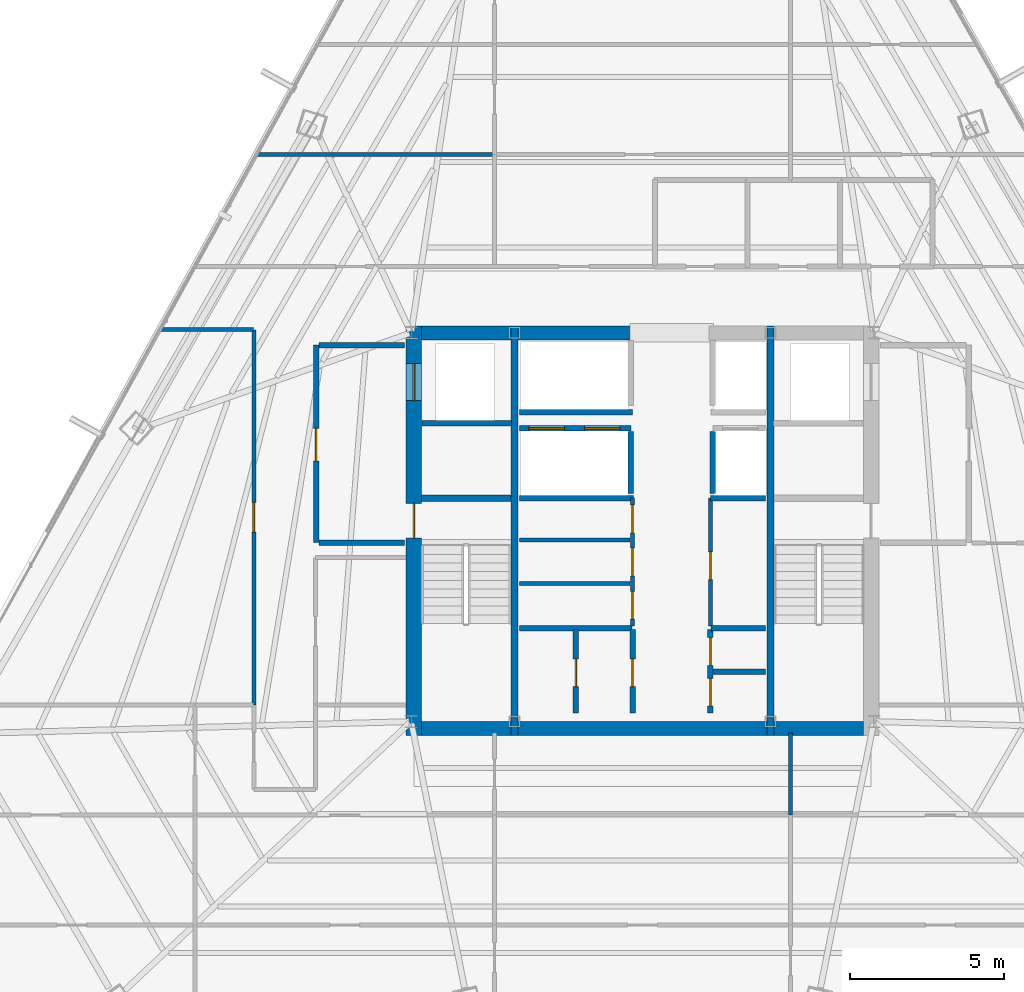
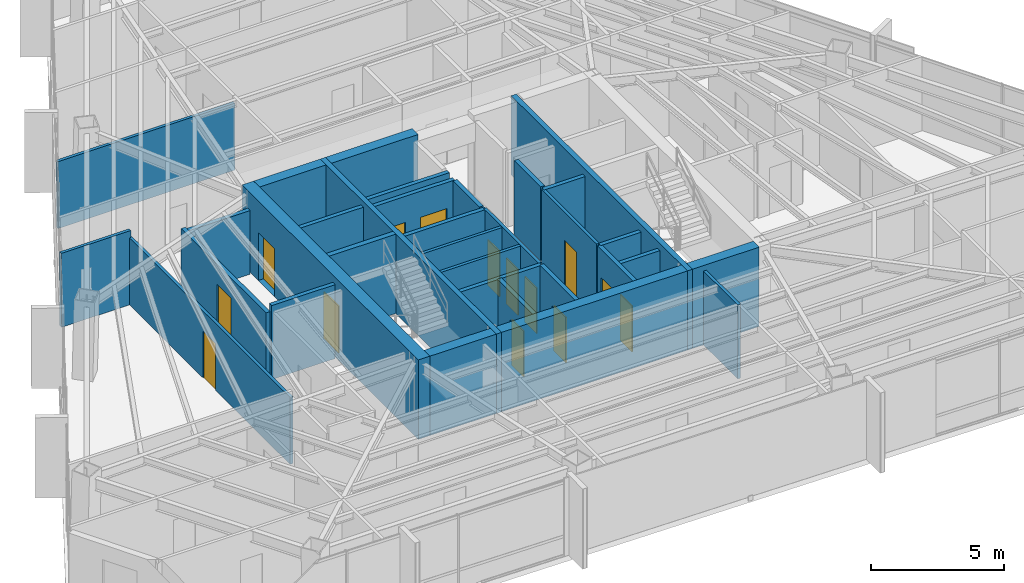
# One storey, part 36 of 42: 33 walls, 14 doors, 14 openings.
"""IFC4 building model written with IfcOpenShell, lengths in metres."""

from ifc_helpers import new_model, si_unit, direction, frame, frame_2d, origin, place, context, subcontext, project, spatial, rectangle, extrude, material, layer, layer_set, type_object, element, fill, save


model = new_model("IFC4")

# Units and contexts
model_context = context("Model", 3, precision=1e-05, world=origin(), true_north=direction((0.0, 1.0)))
body_context = subcontext(model_context, "Body", "Model", "MODEL_VIEW")
ifc_project = project(units=[si_unit("LENGTHUNIT", "METRE"), si_unit("AREAUNIT", "SQUARE_METRE"), si_unit("VOLUMEUNIT", "CUBIC_METRE"), si_unit("PLANEANGLEUNIT", "RADIAN"), si_unit("MASSUNIT", "GRAM", prefix="KILO")], contexts=[model_context])

# Site, building, storey
site_placement = place(None, origin())
site = spatial("IfcSite", under=ifc_project, at=site_placement, CompositionType="ELEMENT")
building_placement = place(site_placement, origin())
building = spatial("IfcBuilding", under=site, at=building_placement, Name="Caelisora Broadcast Tower", CompositionType="ELEMENT")
storey_placement = place(building_placement, frame((0.0, 0.0, 205.949951171875)))
storey = spatial("IfcBuildingStorey", under=building, at=storey_placement, Name="L54", CompositionType="ELEMENT", Elevation=205.949951171875)

# Wall, openings, doors
ifc_material_1 = material(Name="Concrete 50 MPa (AS 3600 S50)", Category="concrete")
ifc_layer_1 = layer(ifc_material_1, 0.5, Name="Concrete 50 MPa (AS 3600 S50)")
ifc_layer_set_1 = layer_set([ifc_layer_1], Name="Concrete 50 MPa (AS 3600 S50)")
wall_type_1 = type_object("IfcWallType", Name="CW2", PredefinedType="SHEAR", material=ifc_layer_set_1)
wall_1_placement = place(storey_placement, frame((30.590087890625, 16.949951171875, 0.0), z_axis=(0.0, 0.0, 1.0), x_axis=(0.0, 1.0, 0.0)))
wall_1 = element("IfcWall", 1, at=wall_1_placement, inside=storey, type_object=wall_type_1, Name="L54 core shear wall CW2", PredefinedType="SHEAR", context=body_context, shape_type="SweptSolid", body=[
    extrude(rectangle(XDim=13.275146484375, YDim=0.5, at=frame_2d((6.6376953125, 0.0))), origin(), (0.0, 0.0, 1.0), 3.650146484375),
])
opening_1_placement = place(wall_1_placement, frame((6.39990234375, 0.0, 0.0)))
opening_1 = element("IfcOpeningElement", 2, at=opening_1_placement, cuts=wall_1, Name="Opening FD04", PredefinedType="OPENING", context=body_context, shape_type="SweptSolid", body=[
    extrude(rectangle(XDim=1.1201171875, YDim=2.14990234375, at=frame_2d((0.56005859375, 1.074951171875))), frame((0.0, 0.261962890625, 0.0), z_axis=(0.0, -1.0, 0.0), x_axis=(1.0, 0.0, 0.0)), (0.0, 0.0, 1.0), 0.52392578125),
])
opening_2_placement = place(wall_1_placement, frame((10.85009765625, 0.0, 0.0)))
opening_2 = element("IfcOpeningElement", 3, at=opening_2_placement, cuts=wall_1, Name="Opening LD04", PredefinedType="OPENING", context=body_context, shape_type="SweptSolid", body=[
    extrude(rectangle(XDim=1.199951171875, YDim=2.199951171875, at=frame_2d((0.60009765625, 1.10009765625))), frame((0.0, 0.261962890625, 0.0), z_axis=(0.0, -1.0, 0.0), x_axis=(1.0, 0.0, 0.0)), (0.0, 0.0, 1.0), 0.52392578125),
])
ifc_material_2 = material(Name="Pressurised Fire-Isolated Stair Door", Category="steel")
door_type_1 = type_object("IfcDoorType", Name="FD04", OperationType="NOTDEFINED", PredefinedType="DOOR", material=ifc_material_2)
door_1_placement = place(opening_1_placement, origin())
door_1 = element("IfcDoor", 4, at=door_1_placement, inside=storey, type_object=door_type_1, Name="L54 door FD04 (L54-DR-ST1)", OperationType="SINGLE_SWING_LEFT", OverallHeight=2.14990234375, OverallWidth=1.1201171875, PredefinedType="DOOR", context=body_context, shape_type="SweptSolid", body=[
    extrude(rectangle(XDim=1.1201171875, YDim=2.14990234375, at=frame_2d((0.56005859375, 1.074951171875))), frame((0.0, 0.02490234375, 0.0), z_axis=(0.0, -1.0, 0.0), x_axis=(1.0, 0.0, 0.0)), (0.0, 0.0, 1.0), 0.050048828125),
])
fill(opening_1, door_1)
ifc_material_3 = material(Name="Emergency Firefighting Lift Sliding Landing Door", Category="steel")
door_type_2 = type_object("IfcDoorType", Name="LD04", OperationType="NOTDEFINED", PredefinedType="DOOR", material=ifc_material_3)
door_2_placement = place(opening_2_placement, origin())
door_2 = element("IfcDoor", 5, at=door_2_placement, inside=storey, type_object=door_type_2, Name="L54 door LD04 (L54-LD-FFL1)", OperationType="SLIDING_TO_LEFT", OverallHeight=2.199951171875, OverallWidth=1.199951171875, PredefinedType="DOOR", context=body_context, shape_type="SweptSolid", body=[
    extrude(rectangle(XDim=1.199951171875, YDim=2.199951171875, at=frame_2d((0.60009765625, 1.10009765625))), frame((0.0, 0.02490234375, 0.0), z_axis=(0.0, -1.0, 0.0), x_axis=(1.0, 0.0, 0.0)), (0.0, 0.0, 1.0), 0.050048828125),
])
fill(opening_2, door_2)

# Walls
ifc_layer_2 = layer(ifc_material_1, 0.449951171875, Name="Concrete 50 MPa (AS 3600 S50)")
ifc_layer_set_2 = layer_set([ifc_layer_2], Name="Concrete 50 MPa (AS 3600 S50)")
wall_type_2 = type_object("IfcWallType", Name="CW5", PredefinedType="SHEAR", material=ifc_layer_set_2)
wall_2_placement = place(storey_placement, frame((30.840087890625, 17.175048828125, 0.0), z_axis=(0.0, 0.0, 1.0), x_axis=(1.0, 0.0, 0.0)))
element("IfcWall", 6, at=wall_2_placement, inside=storey, type_object=wall_type_2, Name="L54 core shear wall CW5", PredefinedType="SHEAR", context=body_context, shape_type="SweptSolid", body=[
    extrude(rectangle(XDim=2.89990234375, YDim=0.449951171875, at=frame_2d((1.449951171875, 0.0))), origin(), (0.0, 0.0, 1.0), 3.650146484375),
])
wall_3_placement = place(storey_placement, frame((33.9599609375, 17.175048828125, 0.0), z_axis=(0.0, 0.0, 1.0), x_axis=(1.0, 0.0, 0.0)))
element("IfcWall", 7, at=wall_3_placement, inside=storey, type_object=wall_type_2, Name="L54 core shear wall CW5", PredefinedType="SHEAR", context=body_context, shape_type="SweptSolid", body=[
    extrude(rectangle(XDim=8.080078125, YDim=0.449951171875, at=frame_2d((4.0400390625, 0.0))), origin(), (0.0, 0.0, 1.0), 3.650146484375),
])
for number, where, z_axis, x_axis, name in (
    (8, (42.260009765625, 17.175048828125, 0.0), (0.0, 0.0, 1.0), (1.0, 0.0, 0.0), "L54 core shear wall CW5"),
    (9, (30.840087890625, 30.0, 0.0), (0.0, 0.0, 1.0), (1.0, 0.0, 0.0), "L54 core shear wall CW5"),
):
    element("IfcWall", number, at=place(storey_placement, frame(where, z_axis=z_axis, x_axis=x_axis)), inside=storey, type_object=wall_type_2, Name=name, PredefinedType="SHEAR", context=body_context, shape_type="SweptSolid", body=[
        extrude(rectangle(XDim=2.89990234375, YDim=0.449951171875, at=frame_2d((1.449951171875, 0.0))), origin(), (0.0, 0.0, 1.0), 3.650146484375),
    ])
wall_4_placement = place(storey_placement, frame((33.9599609375, 30.0, 0.0), z_axis=(0.0, 0.0, 1.0), x_axis=(1.0, 0.0, 0.0)))
element("IfcWall", 10, at=wall_4_placement, inside=storey, type_object=wall_type_2, Name="L54 core shear wall CW5", PredefinedType="SHEAR", context=body_context, shape_type="SweptSolid", body=[
    extrude(rectangle(XDim=3.780029296875, YDim=0.449951171875, at=frame_2d((1.89013671875, 0.0))), origin(), (0.0, 0.0, 1.0), 3.650146484375),
])
ifc_layer_3 = layer(ifc_material_1, 0.219970703125, Name="Concrete 50 MPa (AS 3600 S50)")
ifc_layer_set_3 = layer_set([ifc_layer_3], Name="Concrete 50 MPa (AS 3600 S50)")
wall_type_3 = type_object("IfcWallType", Name="CW7", PredefinedType="SHEAR", material=ifc_layer_set_3)
for number, where, z_axis, x_axis, name in (
    (11, (33.85009765625, 16.949951171875, 0.0), (0.0, 0.0, 1.0), (0.0, 1.0, 0.0), "L54 core shear wall CW7"),
    (12, (42.14990234375, 16.949951171875, 0.0), (0.0, 0.0, 1.0), (0.0, 1.0, 0.0), "L54 core shear wall CW7"),
):
    element("IfcWall", number, at=place(storey_placement, frame(where, z_axis=z_axis, x_axis=x_axis)), inside=storey, type_object=wall_type_3, Name=name, PredefinedType="SHEAR", context=body_context, shape_type="SweptSolid", body=[
        extrude(rectangle(XDim=13.275146484375, YDim=0.219970703125, at=frame_2d((6.6376953125, 0.0))), origin(), (0.0, 0.0, 1.0), 3.650146484375),
    ])
wall_5_placement = place(storey_placement, frame((30.840087890625, 24.639892578125, 0.0), z_axis=(0.0, 0.0, 1.0), x_axis=(1.0, 0.0, 0.0)))
element("IfcWall", 13, at=wall_5_placement, inside=storey, type_object=wall_type_3, Name="L54 core shear wall CW7", PredefinedType="SHEAR", context=body_context, shape_type="SweptSolid", body=[
    extrude(rectangle(XDim=2.89990234375, YDim=0.219970703125, at=frame_2d((1.449951171875, 0.0))), origin(), (0.0, 0.0, 1.0), 3.650146484375),
])

# Wall, openings, doors
ifc_material_4 = material(Name="Fire-Rated Gypsum Shaft and Compartment Wall", Category="gypsum")
ifc_layer_4 = layer(ifc_material_4, 0.179931640625, Name="Fire-Rated Gypsum Shaft and Compartment Wall")
ifc_layer_set_4 = layer_set([ifc_layer_4], Name="Fire-Rated Gypsum Shaft and Compartment Wall")
wall_type_4 = type_object("IfcWallType", Name="PW2", PredefinedType="PARTITIONING", material=ifc_layer_set_4)
wall_6_placement = place(storey_placement, frame((34.02001953125, 26.89990234375, 0.0), z_axis=(0.0, 0.0, 1.0), x_axis=(1.0, 0.0, 0.0)))
wall_6 = element("IfcWall", 14, at=wall_6_placement, inside=storey, type_object=wall_type_4, Name="L54 fire compartment wall PW2", PredefinedType="PARTITIONING", context=body_context, shape_type="SweptSolid", body=[
    extrude(rectangle(XDim=3.60009765625, YDim=0.179931640625, at=frame_2d((1.800048828125, 0.0))), origin(), (0.0, 0.0, 1.0), 3.400146484375),
])
opening_3_placement = place(wall_6_placement, frame((0.300048828125, 0.0, 0.0)))
opening_3 = element("IfcOpeningElement", 15, at=opening_3_placement, cuts=wall_6, Name="Opening LD02", PredefinedType="OPENING", context=body_context, shape_type="SweptSolid", body=[
    extrude(rectangle(XDim=1.14990234375, YDim=2.199951171875, at=frame_2d((0.574951171875, 1.10009765625))), frame((0.0, 0.10205078125, 0.0), z_axis=(0.0, -1.0, 0.0), x_axis=(1.0, 0.0, 0.0)), (0.0, 0.0, 1.0), 0.203857421875),
])
opening_4_placement = place(wall_6_placement, frame((2.10009765625, 0.0, 0.0)))
opening_4 = element("IfcOpeningElement", 16, at=opening_4_placement, cuts=wall_6, Name="Opening LD02", PredefinedType="OPENING", context=body_context, shape_type="SweptSolid", body=[
    extrude(rectangle(XDim=1.14990234375, YDim=2.199951171875, at=frame_2d((0.574951171875, 1.10009765625))), frame((0.0, 0.10205078125, 0.0), z_axis=(0.0, -1.0, 0.0), x_axis=(1.0, 0.0, 0.0)), (0.0, 0.0, 1.0), 0.203857421875),
])
ifc_material_5 = material(Name="High-Speed Express Lift Sliding Landing Door", Category="steel")
door_type_3 = type_object("IfcDoorType", Name="LD02", OperationType="NOTDEFINED", PredefinedType="DOOR", material=ifc_material_5)
door_3_placement = place(opening_3_placement, origin())
door_3 = element("IfcDoor", 17, at=door_3_placement, inside=storey, type_object=door_type_3, Name="L54 door LD02 (L54-LD-PLM1)", OperationType="SLIDING_TO_LEFT", OverallHeight=2.199951171875, OverallWidth=1.14990234375, PredefinedType="DOOR", context=body_context, shape_type="SweptSolid", body=[
    extrude(rectangle(XDim=1.14990234375, YDim=2.199951171875, at=frame_2d((0.574951171875, 1.10009765625))), frame((0.0, 0.02490234375, 0.0), z_axis=(0.0, -1.0, 0.0), x_axis=(1.0, 0.0, 0.0)), (0.0, 0.0, 1.0), 0.050048828125),
])
fill(opening_3, door_3)
door_4_placement = place(opening_4_placement, origin())
door_4 = element("IfcDoor", 18, at=door_4_placement, inside=storey, type_object=door_type_3, Name="L54 door LD02 (L54-LD-PLM2)", OperationType="SLIDING_TO_RIGHT", OverallHeight=2.199951171875, OverallWidth=1.14990234375, PredefinedType="DOOR", context=body_context, shape_type="SweptSolid", body=[
    extrude(rectangle(XDim=1.14990234375, YDim=2.199951171875, at=frame_2d((0.574951171875, 1.10009765625))), frame((0.0, 0.02490234375, 0.0), z_axis=(0.0, -1.0, 0.0), x_axis=(1.0, 0.0, 0.0)), (0.0, 0.0, 1.0), 0.050048828125),
])
fill(opening_4, door_4)

# Walls
for number, where, z_axis, x_axis, name in (
    (19, (37.6201171875, 24.800048828125, 0.0), (0.0, 0.0, 1.0), (0.0, 1.0, 0.0), "L54 fire compartment wall PW2"),
    (20, (40.280029296875, 24.800048828125, 0.0), (0.0, 0.0, 1.0), (0.0, 1.0, 0.0), "L54 fire compartment wall PW2"),
):
    element("IfcWall", number, at=place(storey_placement, frame(where, z_axis=z_axis, x_axis=x_axis)), inside=storey, type_object=wall_type_4, Name=name, PredefinedType="PARTITIONING", context=body_context, shape_type="SweptSolid", body=[
        extrude(rectangle(XDim=2.0, YDim=0.179931640625, at=frame_2d((1.0, 0.0))), origin(), (0.0, 0.0, 1.0), 3.400146484375),
    ])
wall_7_placement = place(storey_placement, frame((34.02001953125, 24.639892578125, 0.0), z_axis=(0.0, 0.0, 1.0), x_axis=(1.0, 0.0, 0.0)))
element("IfcWall", 21, at=wall_7_placement, inside=storey, type_object=wall_type_4, Name="L54 fire compartment wall PW2", PredefinedType="PARTITIONING", context=body_context, shape_type="SweptSolid", body=[
    extrude(rectangle(XDim=3.679931640625, YDim=0.179931640625, at=frame_2d((1.83984375, 0.0))), origin(), (0.0, 0.0, 1.0), 3.400146484375),
])
wall_8_placement = place(storey_placement, frame((40.199951171875, 24.639892578125, 0.0), z_axis=(0.0, 0.0, 1.0), x_axis=(1.0, 0.0, 0.0)))
element("IfcWall", 22, at=wall_8_placement, inside=storey, type_object=wall_type_4, Name="L54 fire compartment wall PW2", PredefinedType="PARTITIONING", context=body_context, shape_type="SweptSolid", body=[
    extrude(rectangle(XDim=1.780029296875, YDim=0.179931640625, at=frame_2d((0.89013671875, 0.0))), origin(), (0.0, 0.0, 1.0), 3.400146484375),
])
wall_9_placement = place(storey_placement, frame((34.02001953125, 27.419921875, 0.0), z_axis=(0.0, 0.0, 1.0), x_axis=(1.0, 0.0, 0.0)))
element("IfcWall", 23, at=wall_9_placement, inside=storey, type_object=wall_type_4, Name="L54 fire compartment wall PW2", PredefinedType="PARTITIONING", context=body_context, shape_type="SweptSolid", body=[
    extrude(rectangle(XDim=3.659912109375, YDim=0.179931640625, at=frame_2d((1.830078125, 0.0))), origin(), (0.0, 0.0, 1.0), 3.400146484375),
])

# Wall, opening, door
wall_10_placement = place(storey_placement, frame((27.419921875, 23.199951171875, 0.0), z_axis=(0.0, 0.0, 1.0), x_axis=(0.0, 1.0, 0.0)))
wall_10 = element("IfcWall", 24, at=wall_10_placement, inside=storey, type_object=wall_type_4, Name="L54 fire compartment wall PW2", PredefinedType="PARTITIONING", context=body_context, shape_type="SweptSolid", body=[
    extrude(rectangle(XDim=6.400146484375, YDim=0.179931640625, at=frame_2d((3.2001953125, 0.0))), origin(), (0.0, 0.0, 1.0), 3.077880859375),
])
opening_5_placement = place(wall_10_placement, frame((2.64990234375, 0.0, 0.0)))
opening_5 = element("IfcOpeningElement", 25, at=opening_5_placement, cuts=wall_10, Name="Opening FD02", PredefinedType="OPENING", context=body_context, shape_type="SweptSolid", body=[
    extrude(rectangle(XDim=1.050048828125, YDim=2.14990234375, at=frame_2d((0.52490234375, 1.074951171875))), frame((0.0, 0.10205078125, 0.0), z_axis=(0.0, -1.0, 0.0), x_axis=(1.0, 0.0, 0.0)), (0.0, 0.0, 1.0), 0.203857421875),
])
ifc_material_6 = material(Name="Single-Leaf Steel Fire Lobby Door", Category="steel")
door_type_4 = type_object("IfcDoorType", Name="FD02", OperationType="NOTDEFINED", PredefinedType="DOOR", material=ifc_material_6)
door_5_placement = place(opening_5_placement, origin())
door_5 = element("IfcDoor", 26, at=door_5_placement, inside=storey, type_object=door_type_4, Name="L54 door FD02 (L54-DR-P01D1)", OperationType="SINGLE_SWING_RIGHT", OverallHeight=2.14990234375, OverallWidth=1.050048828125, PredefinedType="DOOR", context=body_context, shape_type="SweptSolid", body=[
    extrude(rectangle(XDim=1.050048828125, YDim=2.14990234375, at=frame_2d((0.52490234375, 1.074951171875))), frame((0.0, 0.02490234375, 0.0), z_axis=(0.0, -1.0, 0.0), x_axis=(1.0, 0.0, 0.0)), (0.0, 0.0, 1.0), 0.050048828125),
])
fill(opening_5, door_5)

# Walls
wall_11_placement = place(storey_placement, frame((27.52001953125, 23.199951171875, 0.0), z_axis=(0.0, 0.0, 1.0), x_axis=(1.0, 0.0, 0.0)))
element("IfcWall", 27, at=wall_11_placement, inside=storey, type_object=wall_type_4, Name="L54 fire compartment wall PW2", PredefinedType="PARTITIONING", context=body_context, shape_type="SweptSolid", body=[
    extrude(rectangle(XDim=2.760009765625, YDim=0.179931640625, at=frame_2d((1.3798828125, 0.0))), origin(), (0.0, 0.0, 1.0), 3.400146484375),
])
wall_12_placement = place(storey_placement, frame((27.52001953125, 29.60009765625, 0.0), z_axis=(0.0, 0.0, 1.0), x_axis=(1.0, 0.0, 0.0)))
element("IfcWall", 28, at=wall_12_placement, inside=storey, type_object=wall_type_4, Name="L54 fire compartment wall PW2", PredefinedType="PARTITIONING", context=body_context, shape_type="SweptSolid", body=[
    extrude(rectangle(XDim=2.760009765625, YDim=0.179931640625, at=frame_2d((1.3798828125, 0.0))), origin(), (0.0, 0.0, 1.0), 2.924560546875),
])
wall_13_placement = place(storey_placement, frame((30.860107421875, 27.070068359375, 0.0), z_axis=(0.0, 0.0, 1.0), x_axis=(1.0, 0.0, 0.0)))
element("IfcWall", 29, at=wall_13_placement, inside=storey, type_object=wall_type_4, Name="L54 fire compartment wall PW2", PredefinedType="PARTITIONING", context=body_context, shape_type="SweptSolid", body=[
    extrude(rectangle(XDim=2.89990234375, YDim=0.179931640625, at=frame_2d((1.449951171875, 0.0))), origin(), (0.0, 0.0, 1.0), 3.400146484375),
])
wall_14_placement = place(storey_placement, frame((34.02001953125, 20.419921875, 0.0), z_axis=(0.0, 0.0, 1.0), x_axis=(1.0, 0.0, 0.0)))
element("IfcWall", 30, at=wall_14_placement, inside=storey, type_object=wall_type_4, Name="L54 fire compartment wall PW2", PredefinedType="PARTITIONING", context=body_context, shape_type="SweptSolid", body=[
    extrude(rectangle(XDim=3.639892578125, YDim=0.179931640625, at=frame_2d((1.81982421875, 0.0))), origin(), (0.0, 0.0, 1.0), 3.400146484375),
])
wall_15_placement = place(storey_placement, frame((40.219970703125, 20.419921875, 0.0), z_axis=(0.0, 0.0, 1.0), x_axis=(1.0, 0.0, 0.0)))
element("IfcWall", 31, at=wall_15_placement, inside=storey, type_object=wall_type_4, Name="L54 fire compartment wall PW2", PredefinedType="PARTITIONING", context=body_context, shape_type="SweptSolid", body=[
    extrude(rectangle(XDim=1.760009765625, YDim=0.179931640625, at=frame_2d((0.8798828125, 0.0))), origin(), (0.0, 0.0, 1.0), 3.400146484375),
])

# Wall, opening, door
wall_16_placement = place(storey_placement, frame((35.840087890625, 17.679931640625, 0.0), z_axis=(0.0, 0.0, 1.0), x_axis=(0.0, 1.0, 0.0)))
wall_16 = element("IfcWall", 32, at=wall_16_placement, inside=storey, type_object=wall_type_4, Name="L54 fire compartment wall PW2", PredefinedType="PARTITIONING", context=body_context, shape_type="SweptSolid", body=[
    extrude(rectangle(XDim=2.699951171875, YDim=0.179931640625, at=frame_2d((1.35009765625, 0.0))), origin(), (0.0, 0.0, 1.0), 3.400146484375),
])
opening_6_placement = place(wall_16_placement, frame((0.85009765625, 0.0, 0.0)))
opening_6 = element("IfcOpeningElement", 33, at=opening_6_placement, cuts=wall_16, Name="Opening FD03", PredefinedType="OPENING", context=body_context, shape_type="SweptSolid", body=[
    extrude(rectangle(XDim=0.89990234375, YDim=2.10009765625, at=frame_2d((0.449951171875, 1.050048828125))), frame((0.0, 0.10205078125, 0.0), z_axis=(0.0, -1.0, 0.0), x_axis=(1.0, 0.0, 0.0)), (0.0, 0.0, 1.0), 0.203857421875),
])
ifc_material_7 = material(Name="Single-Leaf Steel Riser Fire Access Door", Category="steel")
door_type_5 = type_object("IfcDoorType", Name="FD03", OperationType="NOTDEFINED", PredefinedType="DOOR", material=ifc_material_7)
door_6_placement = place(opening_6_placement, origin())
door_6 = element("IfcDoor", 34, at=door_6_placement, inside=storey, type_object=door_type_5, Name="L54 door FD03 (L54-DR-P15D1)", OperationType="SINGLE_SWING_RIGHT", OverallHeight=2.10009765625, OverallWidth=0.89990234375, PredefinedType="DOOR", context=body_context, shape_type="SweptSolid", body=[
    extrude(rectangle(XDim=0.89990234375, YDim=2.10009765625, at=frame_2d((0.449951171875, 1.050048828125))), frame((0.0, 0.02490234375, 0.0), z_axis=(0.0, -1.0, 0.0), x_axis=(1.0, 0.0, 0.0)), (0.0, 0.0, 1.0), 0.050048828125),
])
fill(opening_6, door_6)

wall_17_placement = place(storey_placement, frame((37.679931640625, 17.679931640625, 0.0), z_axis=(0.0, 0.0, 1.0), x_axis=(0.0, 1.0, 0.0)))
wall_17 = element("IfcWall", 35, at=wall_17_placement, inside=storey, type_object=wall_type_4, Name="L54 fire compartment wall PW2", PredefinedType="PARTITIONING", context=body_context, shape_type="SweptSolid", body=[
    extrude(rectangle(XDim=2.699951171875, YDim=0.179931640625, at=frame_2d((1.35009765625, 0.0))), origin(), (0.0, 0.0, 1.0), 3.400146484375),
])
opening_7_placement = place(wall_17_placement, frame((0.85009765625, 0.0, 0.0)))
opening_7 = element("IfcOpeningElement", 36, at=opening_7_placement, cuts=wall_17, Name="Opening FD03", PredefinedType="OPENING", context=body_context, shape_type="SweptSolid", body=[
    extrude(rectangle(XDim=0.89990234375, YDim=2.10009765625, at=frame_2d((0.449951171875, 1.050048828125))), frame((0.0, 0.10205078125, 0.0), z_axis=(0.0, -1.0, 0.0), x_axis=(1.0, 0.0, 0.0)), (0.0, 0.0, 1.0), 0.203857421875),
])
door_7_placement = place(opening_7_placement, origin())
door_7 = element("IfcDoor", 37, at=door_7_placement, inside=storey, type_object=door_type_5, Name="L54 door FD03 (L54-DR-P16D1)", OperationType="SINGLE_SWING_LEFT", OverallHeight=2.10009765625, OverallWidth=0.89990234375, PredefinedType="DOOR", context=body_context, shape_type="SweptSolid", body=[
    extrude(rectangle(XDim=0.89990234375, YDim=2.10009765625, at=frame_2d((0.449951171875, 1.050048828125))), frame((0.0, 0.02490234375, 0.0), z_axis=(0.0, -1.0, 0.0), x_axis=(1.0, 0.0, 0.0)), (0.0, 0.0, 1.0), 0.050048828125),
])
fill(opening_7, door_7)

# Wall
wall_18_placement = place(storey_placement, frame((40.280029296875, 19.02001953125, 0.0), z_axis=(0.0, 0.0, 1.0), x_axis=(1.0, 0.0, 0.0)))
element("IfcWall", 38, at=wall_18_placement, inside=storey, type_object=wall_type_4, Name="L54 fire compartment wall PW2", PredefinedType="PARTITIONING", context=body_context, shape_type="SweptSolid", body=[
    extrude(rectangle(XDim=1.699951171875, YDim=0.179931640625, at=frame_2d((0.85009765625, 0.0))), origin(), (0.0, 0.0, 1.0), 3.400146484375),
])

# Wall, openings, doors
wall_19_placement = place(storey_placement, frame((40.199951171875, 17.679931640625, 0.0), z_axis=(0.0, 0.0, 1.0), x_axis=(0.0, 1.0, 0.0)))
wall_19 = element("IfcWall", 39, at=wall_19_placement, inside=storey, type_object=wall_type_4, Name="L54 fire compartment wall PW2", PredefinedType="PARTITIONING", context=body_context, shape_type="SweptSolid", body=[
    extrude(rectangle(XDim=2.699951171875, YDim=0.179931640625, at=frame_2d((1.35009765625, 0.0))), origin(), (0.0, 0.0, 1.0), 3.400146484375),
])
opening_8_placement = place(wall_19_placement, frame((0.219970703125, 0.0, 0.0)))
opening_8 = element("IfcOpeningElement", 40, at=opening_8_placement, cuts=wall_19, Name="Opening FD03", PredefinedType="OPENING", context=body_context, shape_type="SweptSolid", body=[
    extrude(rectangle(XDim=0.89990234375, YDim=2.10009765625, at=frame_2d((0.449951171875, 1.050048828125))), frame((0.0, 0.10205078125, 0.0), z_axis=(0.0, -1.0, 0.0), x_axis=(1.0, 0.0, 0.0)), (0.0, 0.0, 1.0), 0.203857421875),
])
opening_9_placement = place(wall_19_placement, frame((1.5400390625, 0.0, 0.0)))
opening_9 = element("IfcOpeningElement", 41, at=opening_9_placement, cuts=wall_19, Name="Opening FD03", PredefinedType="OPENING", context=body_context, shape_type="SweptSolid", body=[
    extrude(rectangle(XDim=0.89990234375, YDim=2.10009765625, at=frame_2d((0.449951171875, 1.050048828125))), frame((0.0, 0.10205078125, 0.0), z_axis=(0.0, -1.0, 0.0), x_axis=(1.0, 0.0, 0.0)), (0.0, 0.0, 1.0), 0.203857421875),
])
door_8_placement = place(opening_8_placement, origin())
door_8 = element("IfcDoor", 42, at=door_8_placement, inside=storey, type_object=door_type_5, Name="L54 door FD03 (L54-DR-P18D1)", OperationType="SINGLE_SWING_RIGHT", OverallHeight=2.10009765625, OverallWidth=0.89990234375, PredefinedType="DOOR", context=body_context, shape_type="SweptSolid", body=[
    extrude(rectangle(XDim=0.89990234375, YDim=2.10009765625, at=frame_2d((0.449951171875, 1.050048828125))), frame((0.0, 0.02490234375, 0.0), z_axis=(0.0, -1.0, 0.0), x_axis=(1.0, 0.0, 0.0)), (0.0, 0.0, 1.0), 0.050048828125),
])
fill(opening_8, door_8)
door_9_placement = place(opening_9_placement, origin())
door_9 = element("IfcDoor", 43, at=door_9_placement, inside=storey, type_object=door_type_5, Name="L54 door FD03 (L54-DR-P18D2)", OperationType="SINGLE_SWING_LEFT", OverallHeight=2.10009765625, OverallWidth=0.89990234375, PredefinedType="DOOR", context=body_context, shape_type="SweptSolid", body=[
    extrude(rectangle(XDim=0.89990234375, YDim=2.10009765625, at=frame_2d((0.449951171875, 1.050048828125))), frame((0.0, 0.02490234375, 0.0), z_axis=(0.0, -1.0, 0.0), x_axis=(1.0, 0.0, 0.0)), (0.0, 0.0, 1.0), 0.050048828125),
])
fill(opening_9, door_9)

# Walls
ifc_material_8 = material(Name="Acoustic Steel-Stud Plasterboard Partition", Category="gypsum")
ifc_layer_5 = layer(ifc_material_8, 0.1298828125, Name="Acoustic Steel-Stud Plasterboard Partition")
ifc_layer_set_5 = layer_set([ifc_layer_5], Name="Acoustic Steel-Stud Plasterboard Partition")
wall_type_5 = type_object("IfcWallType", Name="PW3", PredefinedType="PARTITIONING", material=ifc_layer_set_5)
for number, where, z_axis, x_axis, name in (
    (44, (34.02001953125, 21.8798828125, 0.0), (0.0, 0.0, 1.0), (1.0, 0.0, 0.0), "L54 internal partition PW3"),
    (45, (34.02001953125, 23.280029296875, 0.0), (0.0, 0.0, 1.0), (1.0, 0.0, 0.0), "L54 internal partition PW3"),
):
    element("IfcWall", number, at=place(storey_placement, frame(where, z_axis=z_axis, x_axis=x_axis)), inside=storey, type_object=wall_type_5, Name=name, PredefinedType="PARTITIONING", context=body_context, shape_type="SweptSolid", body=[
        extrude(rectangle(XDim=3.580078125, YDim=0.1298828125, at=frame_2d((1.7900390625, 0.0))), origin(), (0.0, 0.0, 1.0), 3.400146484375),
    ])

# Wall, openings, doors
wall_20_placement = place(storey_placement, frame((37.679931640625, 20.5, 0.0), z_axis=(0.0, 0.0, 1.0), x_axis=(0.0, 1.0, 0.0)))
wall_20 = element("IfcWall", 46, at=wall_20_placement, inside=storey, type_object=wall_type_5, Name="L54 internal partition PW3", PredefinedType="PARTITIONING", context=body_context, shape_type="SweptSolid", body=[
    extrude(rectangle(XDim=4.139892578125, YDim=0.1298828125, at=frame_2d((2.06982421875, 0.0))), origin(), (0.0, 0.0, 1.0), 3.400146484375),
])
opening_10_placement = place(wall_20_placement, frame((0.219970703125, 0.0, 0.0)))
opening_10 = element("IfcOpeningElement", 47, at=opening_10_placement, cuts=wall_20, Name="Opening FD03", PredefinedType="OPENING", context=body_context, shape_type="SweptSolid", body=[
    extrude(rectangle(XDim=0.89990234375, YDim=2.10009765625, at=frame_2d((0.449951171875, 1.050048828125))), frame((0.0, 0.076904296875, 0.0), z_axis=(0.0, -1.0, 0.0), x_axis=(1.0, 0.0, 0.0)), (0.0, 0.0, 1.0), 0.15380859375),
])
opening_11_placement = place(wall_20_placement, frame((1.6201171875, 0.0, 0.0)))
opening_11 = element("IfcOpeningElement", 48, at=opening_11_placement, cuts=wall_20, Name="Opening FD03", PredefinedType="OPENING", context=body_context, shape_type="SweptSolid", body=[
    extrude(rectangle(XDim=0.89990234375, YDim=2.10009765625, at=frame_2d((0.449951171875, 1.050048828125))), frame((0.0, 0.076904296875, 0.0), z_axis=(0.0, -1.0, 0.0), x_axis=(1.0, 0.0, 0.0)), (0.0, 0.0, 1.0), 0.15380859375),
])
opening_12_placement = place(wall_20_placement, frame((3.02001953125, 0.0, 0.0)))
opening_12 = element("IfcOpeningElement", 49, at=opening_12_placement, cuts=wall_20, Name="Opening FD03", PredefinedType="OPENING", context=body_context, shape_type="SweptSolid", body=[
    extrude(rectangle(XDim=0.89990234375, YDim=2.10009765625, at=frame_2d((0.449951171875, 1.050048828125))), frame((0.0, 0.076904296875, 0.0), z_axis=(0.0, -1.0, 0.0), x_axis=(1.0, 0.0, 0.0)), (0.0, 0.0, 1.0), 0.15380859375),
])
door_10_placement = place(opening_10_placement, origin())
door_10 = element("IfcDoor", 50, at=door_10_placement, inside=storey, type_object=door_type_5, Name="L54 door FD03 (L54-DR-P13D1)", OperationType="SINGLE_SWING_RIGHT", OverallHeight=2.10009765625, OverallWidth=0.89990234375, PredefinedType="DOOR", context=body_context, shape_type="SweptSolid", body=[
    extrude(rectangle(XDim=0.89990234375, YDim=2.10009765625, at=frame_2d((0.449951171875, 1.050048828125))), frame((0.0, 0.02490234375, 0.0), z_axis=(0.0, -1.0, 0.0), x_axis=(1.0, 0.0, 0.0)), (0.0, 0.0, 1.0), 0.050048828125),
])
fill(opening_10, door_10)
door_11_placement = place(opening_11_placement, origin())
door_11 = element("IfcDoor", 51, at=door_11_placement, inside=storey, type_object=door_type_5, Name="L54 door FD03 (L54-DR-P13D2)", OperationType="SINGLE_SWING_LEFT", OverallHeight=2.10009765625, OverallWidth=0.89990234375, PredefinedType="DOOR", context=body_context, shape_type="SweptSolid", body=[
    extrude(rectangle(XDim=0.89990234375, YDim=2.10009765625, at=frame_2d((0.449951171875, 1.050048828125))), frame((0.0, 0.02490234375, 0.0), z_axis=(0.0, -1.0, 0.0), x_axis=(1.0, 0.0, 0.0)), (0.0, 0.0, 1.0), 0.050048828125),
])
fill(opening_11, door_11)
door_12_placement = place(opening_12_placement, origin())
door_12 = element("IfcDoor", 52, at=door_12_placement, inside=storey, type_object=door_type_5, Name="L54 door FD03 (L54-DR-P13D3)", OperationType="SINGLE_SWING_RIGHT", OverallHeight=2.10009765625, OverallWidth=0.89990234375, PredefinedType="DOOR", context=body_context, shape_type="SweptSolid", body=[
    extrude(rectangle(XDim=0.89990234375, YDim=2.10009765625, at=frame_2d((0.449951171875, 1.050048828125))), frame((0.0, 0.02490234375, 0.0), z_axis=(0.0, -1.0, 0.0), x_axis=(1.0, 0.0, 0.0)), (0.0, 0.0, 1.0), 0.050048828125),
])
fill(opening_12, door_12)

# Wall, opening, door
wall_21_placement = place(storey_placement, frame((40.199951171875, 20.5, 0.0), z_axis=(0.0, 0.0, 1.0), x_axis=(0.0, 1.0, 0.0)))
wall_21 = element("IfcWall", 53, at=wall_21_placement, inside=storey, type_object=wall_type_5, Name="L54 internal partition PW3", PredefinedType="PARTITIONING", context=body_context, shape_type="SweptSolid", body=[
    extrude(rectangle(XDim=4.139892578125, YDim=0.1298828125, at=frame_2d((2.06982421875, 0.0))), origin(), (0.0, 0.0, 1.0), 3.400146484375),
])
opening_13_placement = place(wall_21_placement, frame((1.5, 0.0, 0.0)))
opening_13 = element("IfcOpeningElement", 54, at=opening_13_placement, cuts=wall_21, Name="Opening FD03", PredefinedType="OPENING", context=body_context, shape_type="SweptSolid", body=[
    extrude(rectangle(XDim=0.89990234375, YDim=2.10009765625, at=frame_2d((0.449951171875, 1.050048828125))), frame((0.0, 0.076904296875, 0.0), z_axis=(0.0, -1.0, 0.0), x_axis=(1.0, 0.0, 0.0)), (0.0, 0.0, 1.0), 0.15380859375),
])
door_13_placement = place(opening_13_placement, origin())
door_13 = element("IfcDoor", 55, at=door_13_placement, inside=storey, type_object=door_type_5, Name="L54 door FD03 (L54-DR-P14D1)", OperationType="SINGLE_SWING_LEFT", OverallHeight=2.10009765625, OverallWidth=0.89990234375, PredefinedType="DOOR", context=body_context, shape_type="SweptSolid", body=[
    extrude(rectangle(XDim=0.89990234375, YDim=2.10009765625, at=frame_2d((0.449951171875, 1.050048828125))), frame((0.0, 0.02490234375, 0.0), z_axis=(0.0, -1.0, 0.0), x_axis=(1.0, 0.0, 0.0)), (0.0, 0.0, 1.0), 0.050048828125),
])
fill(opening_13, door_13)

wall_22_placement = place(storey_placement, frame((25.39990234375, 30.094970703125, 0.0), z_axis=(0.0, 0.0, 1.0), x_axis=(0.0, -1.0, 0.0)))
wall_22 = element("IfcWall", 56, at=wall_22_placement, inside=storey, type_object=wall_type_5, Name="L54 internal partition PW3", PredefinedType="PARTITIONING", context=body_context, shape_type="SweptSolid", body=[
    extrude(rectangle(XDim=12.14990234375, YDim=0.1298828125, at=frame_2d((6.074951171875, 0.0))), origin(), (0.0, 0.0, 1.0), 3.077880859375),
])
opening_14_placement = place(wall_22_placement, frame((5.594970703125, 0.0, 0.0)))
opening_14 = element("IfcOpeningElement", 57, at=opening_14_placement, cuts=wall_22, Name="Opening D01", PredefinedType="OPENING", context=body_context, shape_type="SweptSolid", body=[
    extrude(rectangle(XDim=0.9599609375, YDim=2.14990234375, at=frame_2d((0.47998046875, 1.074951171875))), frame((0.0, 0.076904296875, 0.0), z_axis=(0.0, -1.0, 0.0), x_axis=(1.0, 0.0, 0.0)), (0.0, 0.0, 1.0), 0.15380859375),
])
ifc_material_9 = material(Name="Solid-Core Timber Acoustic Office Door", Category="wood")
door_type_6 = type_object("IfcDoorType", Name="D01", OperationType="NOTDEFINED", PredefinedType="DOOR", material=ifc_material_9)
door_14_placement = place(opening_14_placement, origin())
door_14 = element("IfcDoor", 58, at=door_14_placement, inside=storey, type_object=door_type_6, Name="L54 door D01 (L54-DR-P31D1)", OperationType="SINGLE_SWING_LEFT", OverallHeight=2.14990234375, OverallWidth=0.9599609375, PredefinedType="DOOR", context=body_context, shape_type="SweptSolid", body=[
    extrude(rectangle(XDim=0.9599609375, YDim=2.14990234375, at=frame_2d((0.47998046875, 1.074951171875))), frame((0.0, 0.02490234375, 0.0), z_axis=(0.0, -1.0, 0.0), x_axis=(1.0, 0.0, 0.0)), (0.0, 0.0, 1.0), 0.050048828125),
])
fill(opening_14, door_14)

# Walls
wall_23_placement = place(storey_placement, frame((25.51318359375, 35.780029296875, 0.0), z_axis=(0.0, 0.0, 1.0), x_axis=(1.0, 0.0, 0.0)))
element("IfcWall", 59, at=wall_23_placement, inside=storey, type_object=wall_type_5, Name="L54 internal partition PW3", PredefinedType="PARTITIONING", context=body_context, shape_type="SweptSolid", body=[
    extrude(rectangle(XDim=7.681884765625, YDim=0.1298828125, at=frame_2d((3.8408203125, 0.0))), origin(), (0.0, 0.0, 1.0), 3.077880859375),
])
wall_24_placement = place(storey_placement, frame((22.37939453125, 30.10009765625, 0.0), z_axis=(0.0, 0.0, 1.0), x_axis=(1.0, 0.0, 0.0)))
element("IfcWall", 60, at=wall_24_placement, inside=storey, type_object=wall_type_5, Name="L54 internal partition PW3", PredefinedType="PARTITIONING", context=body_context, shape_type="SweptSolid", body=[
    extrude(rectangle(XDim=3.015625, YDim=0.1298828125, at=frame_2d((1.5078125, 0.0))), origin(), (0.0, 0.0, 1.0), 3.400146484375),
])
wall_25_placement = place(storey_placement, frame((42.800048828125, 14.375, 0.0), z_axis=(0.0, 0.0, 1.0), x_axis=(0.0, 1.0, 0.0)))
element("IfcWall", 61, at=wall_25_placement, inside=storey, type_object=wall_type_5, Name="L54 internal partition PW3", PredefinedType="PARTITIONING", context=body_context, shape_type="SweptSolid", body=[
    extrude(rectangle(XDim=2.64990234375, YDim=0.1298828125, at=frame_2d((1.324951171875, 0.0))), origin(), (0.0, 0.0, 1.0), 3.400146484375),
])

save(model, "model.ifc")
